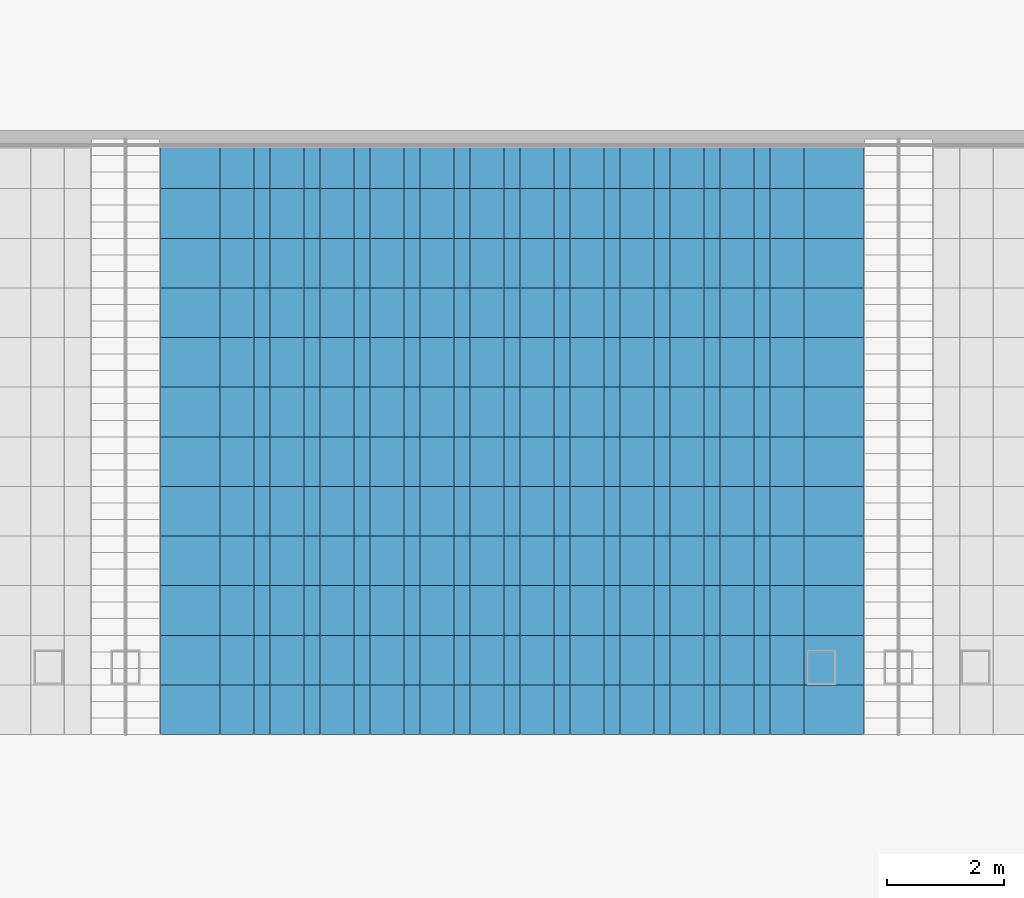
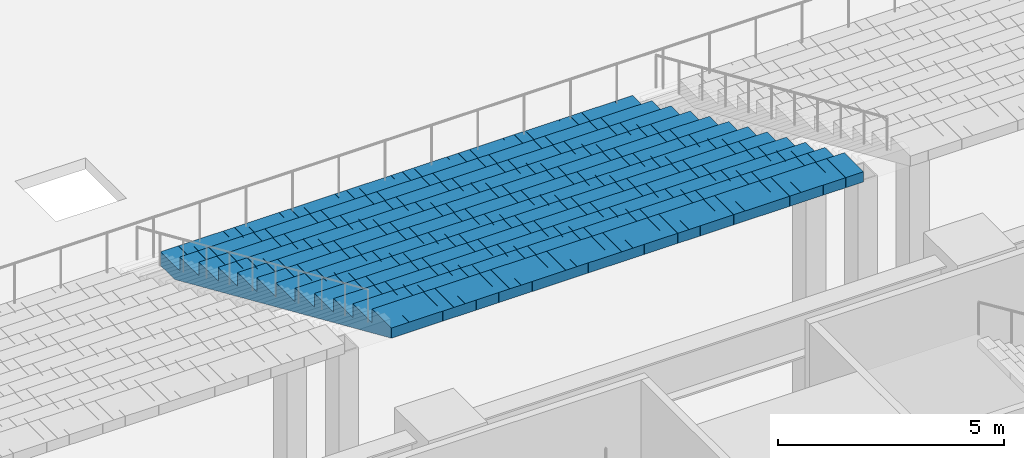
# One storey, part 16 of 62: 1 slab.
"""IFC4 building model written with IfcOpenShell, lengths in metres."""

from ifc_helpers import new_model, si_unit, direction, frame, origin, place, context, subcontext, project, spatial, polyline, outline, extrude, material, layer, layer_set, type_object, element, save


model = new_model("IFC4")

# Units and contexts
model_context = context("Model", 3, precision=1e-05, world=origin(), true_north=direction((0.0, 1.0)))
body_context = subcontext(model_context, "Body", "Model", "MODEL_VIEW")
ifc_project = project(units=[si_unit("LENGTHUNIT", "METRE"), si_unit("AREAUNIT", "SQUARE_METRE"), si_unit("VOLUMEUNIT", "CUBIC_METRE"), si_unit("PLANEANGLEUNIT", "RADIAN"), si_unit("MASSUNIT", "GRAM", prefix="KILO")], contexts=[model_context])

# Site, building, storey
site_placement = place(None, origin())
site = spatial("IfcSite", under=ifc_project, at=site_placement, CompositionType="ELEMENT")
building_placement = place(site_placement, origin())
building = spatial("IfcBuilding", under=site, at=building_placement, Name="Corbelhall Arena Tower", CompositionType="ELEMENT")
storey_placement = place(building_placement, frame((0.0, 0.0, 12.0)))
storey = spatial("IfcBuildingStorey", under=building, at=storey_placement, Name="L01", CompositionType="ELEMENT", Elevation=12.0)

# Slab
ifc_material = material(Name="Precast concrete C40/50", Category="concrete")
ifc_layer = layer(ifc_material, 0.25)
ifc_layer_set = layer_set([ifc_layer], Name="AR-TIER-RAKED")
slab_type = type_object("IfcSlabType", Name="AR-TIER-RAKED", PredefinedType="FLOOR", material=ifc_layer_set)
slab_placement = place(storey_placement, frame((-13.239990234375, -15.14990234375, 2.125), z_axis=(0.0, 0.0, 1.0), x_axis=(0.0, -1.0, 0.0)))
element("IfcSlab", 1, at=slab_placement, inside=storey, type_object=slab_type, Name="Tier section LSD", PredefinedType="FLOOR", context=body_context, shape_type="SweptSolid", body=[
    extrude(outline(polyline([(0.0, 0.0), (0.0, 0.375), (0.85009765625, 0.375), (0.85009765625, 0.75), (1.699951171875, 0.75), (1.699951171875, 1.125), (2.550048828125, 1.125), (2.550048828125, 1.5), (3.39990234375, 1.5), (3.39990234375, 1.875), (4.25, 1.875), (4.25, 2.25), (5.10009765625, 2.25), (5.10009765625, 2.625), (5.949951171875, 2.625), (5.949951171875, 3.0), (6.800048828125, 3.0), (6.800048828125, 3.375), (7.64990234375, 3.375), (7.64990234375, 3.75), (8.5, 3.75), (8.5, 4.125), (9.35009765625, 4.125), (9.35009765625, 4.5), (10.199951171875, 4.5), (10.199951171875, 4.875), (10.199951171875, 4.226806640625), (0.619384765625, 0.0), (0.0, 0.0)])), frame((0.0, 6.02001953125, 0.0), z_axis=(0.0, -1.0, 0.0), x_axis=(1.0, 0.0, 0.0)), (0.0, 0.0, 1.0), 0.449951171875),
    extrude(outline(polyline([(0.0, 0.0), (0.0, 0.375), (0.85009765625, 0.375), (0.85009765625, 0.75), (1.699951171875, 0.75), (1.699951171875, 1.125), (2.550048828125, 1.125), (2.550048828125, 1.5), (3.39990234375, 1.5), (3.39990234375, 1.875), (4.25, 1.875), (4.25, 2.25), (5.10009765625, 2.25), (5.10009765625, 2.625), (5.949951171875, 2.625), (5.949951171875, 3.0), (6.800048828125, 3.0), (6.800048828125, 3.375), (7.64990234375, 3.375), (7.64990234375, 3.75), (8.5, 3.75), (8.5, 4.125), (9.35009765625, 4.125), (9.35009765625, 4.5), (10.199951171875, 4.5), (10.199951171875, 4.875), (10.199951171875, 4.226806640625), (0.619384765625, 0.0), (0.0, 0.0)])), frame((0.0, 5.56591796875, 0.0), z_axis=(0.0, -1.0, 0.0), x_axis=(1.0, 0.0, 0.0)), (0.0, 0.0, 1.0), 0.281494140625),
    extrude(outline(polyline([(0.0, 0.0), (0.0, 0.375), (0.85009765625, 0.375), (0.85009765625, 0.75), (1.699951171875, 0.75), (1.699951171875, 1.125), (2.550048828125, 1.125), (2.550048828125, 1.5), (3.39990234375, 1.5), (3.39990234375, 1.875), (4.25, 1.875), (4.25, 2.25), (5.10009765625, 2.25), (5.10009765625, 2.625), (5.949951171875, 2.625), (5.949951171875, 3.0), (6.800048828125, 3.0), (6.800048828125, 3.375), (7.64990234375, 3.375), (7.64990234375, 3.75), (8.5, 3.75), (8.5, 4.125), (9.35009765625, 4.125), (9.35009765625, 4.5), (10.199951171875, 4.5), (10.199951171875, 4.875), (10.199951171875, 4.226806640625), (0.619384765625, 0.0), (0.0, 0.0)])), frame((0.0, 5.280517578125, 0.0), z_axis=(0.0, -1.0, 0.0), x_axis=(1.0, 0.0, 0.0)), (0.0, 0.0, 1.0), 0.281494140625),
    extrude(outline(polyline([(0.0, 0.0), (0.0, 0.375), (0.85009765625, 0.375), (0.85009765625, 0.75), (1.699951171875, 0.75), (1.699951171875, 1.125), (2.550048828125, 1.125), (2.550048828125, 1.5), (3.39990234375, 1.5), (3.39990234375, 1.875), (4.25, 1.875), (4.25, 2.25), (5.10009765625, 2.25), (5.10009765625, 2.625), (5.949951171875, 2.625), (5.949951171875, 3.0), (6.800048828125, 3.0), (6.800048828125, 3.375), (7.64990234375, 3.375), (7.64990234375, 3.75), (8.5, 3.75), (8.5, 4.125), (9.35009765625, 4.125), (9.35009765625, 4.5), (10.199951171875, 4.5), (10.199951171875, 4.875), (10.199951171875, 4.226806640625), (0.619384765625, 0.0), (0.0, 0.0)])), frame((0.0, 4.994873046875, 0.0), z_axis=(0.0, -1.0, 0.0), x_axis=(1.0, 0.0, 0.0)), (0.0, 0.0, 1.0), 0.281494140625),
    extrude(outline(polyline([(0.0, 0.0), (0.0, 0.375), (0.85009765625, 0.375), (0.85009765625, 0.75), (1.699951171875, 0.75), (1.699951171875, 1.125), (2.550048828125, 1.125), (2.550048828125, 1.5), (3.39990234375, 1.5), (3.39990234375, 1.875), (4.25, 1.875), (4.25, 2.25), (5.10009765625, 2.25), (5.10009765625, 2.625), (5.949951171875, 2.625), (5.949951171875, 3.0), (6.800048828125, 3.0), (6.800048828125, 3.375), (7.64990234375, 3.375), (7.64990234375, 3.75), (8.5, 3.75), (8.5, 4.125), (9.35009765625, 4.125), (9.35009765625, 4.5), (10.199951171875, 4.5), (10.199951171875, 4.875), (10.199951171875, 4.226806640625), (0.619384765625, 0.0), (0.0, 0.0)])), frame((0.0, 4.70947265625, 0.0), z_axis=(0.0, -1.0, 0.0), x_axis=(1.0, 0.0, 0.0)), (0.0, 0.0, 1.0), 0.281494140625),
    extrude(outline(polyline([(0.0, 0.0), (0.0, 0.375), (0.85009765625, 0.375), (0.85009765625, 0.75), (1.699951171875, 0.75), (1.699951171875, 1.125), (2.550048828125, 1.125), (2.550048828125, 1.5), (3.39990234375, 1.5), (3.39990234375, 1.875), (4.25, 1.875), (4.25, 2.25), (5.10009765625, 2.25), (5.10009765625, 2.625), (5.949951171875, 2.625), (5.949951171875, 3.0), (6.800048828125, 3.0), (6.800048828125, 3.375), (7.64990234375, 3.375), (7.64990234375, 3.75), (8.5, 3.75), (8.5, 4.125), (9.35009765625, 4.125), (9.35009765625, 4.5), (10.199951171875, 4.5), (10.199951171875, 4.875), (10.199951171875, 4.226806640625), (0.619384765625, 0.0), (0.0, 0.0)])), frame((0.0, 4.423828125, 0.0), z_axis=(0.0, -1.0, 0.0), x_axis=(1.0, 0.0, 0.0)), (0.0, 0.0, 1.0), 0.281494140625),
    extrude(outline(polyline([(0.0, 0.0), (0.0, 0.375), (0.85009765625, 0.375), (0.85009765625, 0.75), (1.699951171875, 0.75), (1.699951171875, 1.125), (2.550048828125, 1.125), (2.550048828125, 1.5), (3.39990234375, 1.5), (3.39990234375, 1.875), (4.25, 1.875), (4.25, 2.25), (5.10009765625, 2.25), (5.10009765625, 2.625), (5.949951171875, 2.625), (5.949951171875, 3.0), (6.800048828125, 3.0), (6.800048828125, 3.375), (7.64990234375, 3.375), (7.64990234375, 3.75), (8.5, 3.75), (8.5, 4.125), (9.35009765625, 4.125), (9.35009765625, 4.5), (10.199951171875, 4.5), (10.199951171875, 4.875), (10.199951171875, 4.226806640625), (0.619384765625, 0.0), (0.0, 0.0)])), frame((0.0, 4.138427734375, 0.0), z_axis=(0.0, -1.0, 0.0), x_axis=(1.0, 0.0, 0.0)), (0.0, 0.0, 1.0), 0.281494140625),
    extrude(outline(polyline([(0.0, 0.0), (0.0, 0.375), (0.85009765625, 0.375), (0.85009765625, 0.75), (1.699951171875, 0.75), (1.699951171875, 1.125), (2.550048828125, 1.125), (2.550048828125, 1.5), (3.39990234375, 1.5), (3.39990234375, 1.875), (4.25, 1.875), (4.25, 2.25), (5.10009765625, 2.25), (5.10009765625, 2.625), (5.949951171875, 2.625), (5.949951171875, 3.0), (6.800048828125, 3.0), (6.800048828125, 3.375), (7.64990234375, 3.375), (7.64990234375, 3.75), (8.5, 3.75), (8.5, 4.125), (9.35009765625, 4.125), (9.35009765625, 4.5), (10.199951171875, 4.5), (10.199951171875, 4.875), (10.199951171875, 4.226806640625), (0.619384765625, 0.0), (0.0, 0.0)])), frame((0.0, 3.852783203125, 0.0), z_axis=(0.0, -1.0, 0.0), x_axis=(1.0, 0.0, 0.0)), (0.0, 0.0, 1.0), 0.281494140625),
    extrude(outline(polyline([(0.0, 0.0), (0.0, 0.375), (0.85009765625, 0.375), (0.85009765625, 0.75), (1.699951171875, 0.75), (1.699951171875, 1.125), (2.550048828125, 1.125), (2.550048828125, 1.5), (3.39990234375, 1.5), (3.39990234375, 1.875), (4.25, 1.875), (4.25, 2.25), (5.10009765625, 2.25), (5.10009765625, 2.625), (5.949951171875, 2.625), (5.949951171875, 3.0), (6.800048828125, 3.0), (6.800048828125, 3.375), (7.64990234375, 3.375), (7.64990234375, 3.75), (8.5, 3.75), (8.5, 4.125), (9.35009765625, 4.125), (9.35009765625, 4.5), (10.199951171875, 4.5), (10.199951171875, 4.875), (10.199951171875, 4.226806640625), (0.619384765625, 0.0), (0.0, 0.0)])), frame((0.0, 3.567138671875, 0.0), z_axis=(0.0, -1.0, 0.0), x_axis=(1.0, 0.0, 0.0)), (0.0, 0.0, 1.0), 0.281494140625),
    extrude(outline(polyline([(0.0, 0.0), (0.0, 0.375), (0.85009765625, 0.375), (0.85009765625, 0.75), (1.699951171875, 0.75), (1.699951171875, 1.125), (2.550048828125, 1.125), (2.550048828125, 1.5), (3.39990234375, 1.5), (3.39990234375, 1.875), (4.25, 1.875), (4.25, 2.25), (5.10009765625, 2.25), (5.10009765625, 2.625), (5.949951171875, 2.625), (5.949951171875, 3.0), (6.800048828125, 3.0), (6.800048828125, 3.375), (7.64990234375, 3.375), (7.64990234375, 3.75), (8.5, 3.75), (8.5, 4.125), (9.35009765625, 4.125), (9.35009765625, 4.5), (10.199951171875, 4.5), (10.199951171875, 4.875), (10.199951171875, 4.226806640625), (0.619384765625, 0.0), (0.0, 0.0)])), frame((0.0, 3.28173828125, 0.0), z_axis=(0.0, -1.0, 0.0), x_axis=(1.0, 0.0, 0.0)), (0.0, 0.0, 1.0), 0.281494140625),
    extrude(outline(polyline([(0.0, 0.0), (0.0, 0.375), (0.85009765625, 0.375), (0.85009765625, 0.75), (1.699951171875, 0.75), (1.699951171875, 1.125), (2.550048828125, 1.125), (2.550048828125, 1.5), (3.39990234375, 1.5), (3.39990234375, 1.875), (4.25, 1.875), (4.25, 2.25), (5.10009765625, 2.25), (5.10009765625, 2.625), (5.949951171875, 2.625), (5.949951171875, 3.0), (6.800048828125, 3.0), (6.800048828125, 3.375), (7.64990234375, 3.375), (7.64990234375, 3.75), (8.5, 3.75), (8.5, 4.125), (9.35009765625, 4.125), (9.35009765625, 4.5), (10.199951171875, 4.5), (10.199951171875, 4.875), (10.199951171875, 4.226806640625), (0.619384765625, 0.0), (0.0, 0.0)])), frame((0.0, 2.99609375, 0.0), z_axis=(0.0, -1.0, 0.0), x_axis=(1.0, 0.0, 0.0)), (0.0, 0.0, 1.0), 0.281494140625),
    extrude(outline(polyline([(0.0, 0.0), (0.0, 0.375), (0.85009765625, 0.375), (0.85009765625, 0.75), (1.699951171875, 0.75), (1.699951171875, 1.125), (2.550048828125, 1.125), (2.550048828125, 1.5), (3.39990234375, 1.5), (3.39990234375, 1.875), (4.25, 1.875), (4.25, 2.25), (5.10009765625, 2.25), (5.10009765625, 2.625), (5.949951171875, 2.625), (5.949951171875, 3.0), (6.800048828125, 3.0), (6.800048828125, 3.375), (7.64990234375, 3.375), (7.64990234375, 3.75), (8.5, 3.75), (8.5, 4.125), (9.35009765625, 4.125), (9.35009765625, 4.5), (10.199951171875, 4.5), (10.199951171875, 4.875), (10.199951171875, 4.226806640625), (0.619384765625, 0.0), (0.0, 0.0)])), frame((0.0, 2.710693359375, 0.0), z_axis=(0.0, -1.0, 0.0), x_axis=(1.0, 0.0, 0.0)), (0.0, 0.0, 1.0), 0.281494140625),
    extrude(outline(polyline([(0.0, 0.0), (0.0, 0.375), (0.85009765625, 0.375), (0.85009765625, 0.75), (1.699951171875, 0.75), (1.699951171875, 1.125), (2.550048828125, 1.125), (2.550048828125, 1.5), (3.39990234375, 1.5), (3.39990234375, 1.875), (4.25, 1.875), (4.25, 2.25), (5.10009765625, 2.25), (5.10009765625, 2.625), (5.949951171875, 2.625), (5.949951171875, 3.0), (6.800048828125, 3.0), (6.800048828125, 3.375), (7.64990234375, 3.375), (7.64990234375, 3.75), (8.5, 3.75), (8.5, 4.125), (9.35009765625, 4.125), (9.35009765625, 4.5), (10.199951171875, 4.5), (10.199951171875, 4.875), (10.199951171875, 4.226806640625), (0.619384765625, 0.0), (0.0, 0.0)])), frame((0.0, 2.425048828125, 0.0), z_axis=(0.0, -1.0, 0.0), x_axis=(1.0, 0.0, 0.0)), (0.0, 0.0, 1.0), 0.281494140625),
    extrude(outline(polyline([(0.0, 0.0), (0.0, 0.375), (0.85009765625, 0.375), (0.85009765625, 0.75), (1.699951171875, 0.75), (1.699951171875, 1.125), (2.550048828125, 1.125), (2.550048828125, 1.5), (3.39990234375, 1.5), (3.39990234375, 1.875), (4.25, 1.875), (4.25, 2.25), (5.10009765625, 2.25), (5.10009765625, 2.625), (5.949951171875, 2.625), (5.949951171875, 3.0), (6.800048828125, 3.0), (6.800048828125, 3.375), (7.64990234375, 3.375), (7.64990234375, 3.75), (8.5, 3.75), (8.5, 4.125), (9.35009765625, 4.125), (9.35009765625, 4.5), (10.199951171875, 4.5), (10.199951171875, 4.875), (10.199951171875, 4.226806640625), (0.619384765625, 0.0), (0.0, 0.0)])), frame((0.0, 2.1396484375, 0.0), z_axis=(0.0, -1.0, 0.0), x_axis=(1.0, 0.0, 0.0)), (0.0, 0.0, 1.0), 0.281494140625),
    extrude(outline(polyline([(0.0, 0.0), (0.0, 0.375), (0.85009765625, 0.375), (0.85009765625, 0.75), (1.699951171875, 0.75), (1.699951171875, 1.125), (2.550048828125, 1.125), (2.550048828125, 1.5), (3.39990234375, 1.5), (3.39990234375, 1.875), (4.25, 1.875), (4.25, 2.25), (5.10009765625, 2.25), (5.10009765625, 2.625), (5.949951171875, 2.625), (5.949951171875, 3.0), (6.800048828125, 3.0), (6.800048828125, 3.375), (7.64990234375, 3.375), (7.64990234375, 3.75), (8.5, 3.75), (8.5, 4.125), (9.35009765625, 4.125), (9.35009765625, 4.5), (10.199951171875, 4.5), (10.199951171875, 4.875), (10.199951171875, 4.226806640625), (0.619384765625, 0.0), (0.0, 0.0)])), frame((0.0, 1.85400390625, 0.0), z_axis=(0.0, -1.0, 0.0), x_axis=(1.0, 0.0, 0.0)), (0.0, 0.0, 1.0), 0.281494140625),
    extrude(outline(polyline([(0.0, 0.0), (0.0, 0.375), (0.85009765625, 0.375), (0.85009765625, 0.75), (1.699951171875, 0.75), (1.699951171875, 1.125), (2.550048828125, 1.125), (2.550048828125, 1.5), (3.39990234375, 1.5), (3.39990234375, 1.875), (4.25, 1.875), (4.25, 2.25), (5.10009765625, 2.25), (5.10009765625, 2.625), (5.949951171875, 2.625), (5.949951171875, 3.0), (6.800048828125, 3.0), (6.800048828125, 3.375), (7.64990234375, 3.375), (7.64990234375, 3.75), (8.5, 3.75), (8.5, 4.125), (9.35009765625, 4.125), (9.35009765625, 4.5), (10.199951171875, 4.5), (10.199951171875, 4.875), (10.199951171875, 4.226806640625), (0.619384765625, 0.0), (0.0, 0.0)])), frame((0.0, 1.568359375, 0.0), z_axis=(0.0, -1.0, 0.0), x_axis=(1.0, 0.0, 0.0)), (0.0, 0.0, 1.0), 0.281494140625),
    extrude(outline(polyline([(0.0, 0.0), (0.0, 0.375), (0.85009765625, 0.375), (0.85009765625, 0.75), (1.699951171875, 0.75), (1.699951171875, 1.125), (2.550048828125, 1.125), (2.550048828125, 1.5), (3.39990234375, 1.5), (3.39990234375, 1.875), (4.25, 1.875), (4.25, 2.25), (5.10009765625, 2.25), (5.10009765625, 2.625), (5.949951171875, 2.625), (5.949951171875, 3.0), (6.800048828125, 3.0), (6.800048828125, 3.375), (7.64990234375, 3.375), (7.64990234375, 3.75), (8.5, 3.75), (8.5, 4.125), (9.35009765625, 4.125), (9.35009765625, 4.5), (10.199951171875, 4.5), (10.199951171875, 4.875), (10.199951171875, 4.226806640625), (0.619384765625, 0.0), (0.0, 0.0)])), frame((0.0, 1.282958984375, 0.0), z_axis=(0.0, -1.0, 0.0), x_axis=(1.0, 0.0, 0.0)), (0.0, 0.0, 1.0), 0.281494140625),
    extrude(outline(polyline([(0.0, 0.0), (0.0, 0.375), (0.85009765625, 0.375), (0.85009765625, 0.75), (1.699951171875, 0.75), (1.699951171875, 1.125), (2.550048828125, 1.125), (2.550048828125, 1.5), (3.39990234375, 1.5), (3.39990234375, 1.875), (4.25, 1.875), (4.25, 2.25), (5.10009765625, 2.25), (5.10009765625, 2.625), (5.949951171875, 2.625), (5.949951171875, 3.0), (6.800048828125, 3.0), (6.800048828125, 3.375), (7.64990234375, 3.375), (7.64990234375, 3.75), (8.5, 3.75), (8.5, 4.125), (9.35009765625, 4.125), (9.35009765625, 4.5), (10.199951171875, 4.5), (10.199951171875, 4.875), (10.199951171875, 4.226806640625), (0.619384765625, 0.0), (0.0, 0.0)])), frame((0.0, 0.997314453125, 0.0), z_axis=(0.0, -1.0, 0.0), x_axis=(1.0, 0.0, 0.0)), (0.0, 0.0, 1.0), 0.281494140625),
    extrude(outline(polyline([(0.0, 0.0), (0.0, 0.375), (0.85009765625, 0.375), (0.85009765625, 0.75), (1.699951171875, 0.75), (1.699951171875, 1.125), (2.550048828125, 1.125), (2.550048828125, 1.5), (3.39990234375, 1.5), (3.39990234375, 1.875), (4.25, 1.875), (4.25, 2.25), (5.10009765625, 2.25), (5.10009765625, 2.625), (5.949951171875, 2.625), (5.949951171875, 3.0), (6.800048828125, 3.0), (6.800048828125, 3.375), (7.64990234375, 3.375), (7.64990234375, 3.75), (8.5, 3.75), (8.5, 4.125), (9.35009765625, 4.125), (9.35009765625, 4.5), (10.199951171875, 4.5), (10.199951171875, 4.875), (10.199951171875, 4.226806640625), (0.619384765625, 0.0), (0.0, 0.0)])), frame((0.0, 0.7119140625, 0.0), z_axis=(0.0, -1.0, 0.0), x_axis=(1.0, 0.0, 0.0)), (0.0, 0.0, 1.0), 0.281494140625),
    extrude(outline(polyline([(0.0, 0.0), (0.0, 0.375), (0.85009765625, 0.375), (0.85009765625, 0.75), (1.699951171875, 0.75), (1.699951171875, 1.125), (2.550048828125, 1.125), (2.550048828125, 1.5), (3.39990234375, 1.5), (3.39990234375, 1.875), (4.25, 1.875), (4.25, 2.25), (5.10009765625, 2.25), (5.10009765625, 2.625), (5.949951171875, 2.625), (5.949951171875, 3.0), (6.800048828125, 3.0), (6.800048828125, 3.375), (7.64990234375, 3.375), (7.64990234375, 3.75), (8.5, 3.75), (8.5, 4.125), (9.35009765625, 4.125), (9.35009765625, 4.5), (10.199951171875, 4.5), (10.199951171875, 4.875), (10.199951171875, 4.226806640625), (0.619384765625, 0.0), (0.0, 0.0)])), frame((0.0, 0.42626953125, 0.0), z_axis=(0.0, -1.0, 0.0), x_axis=(1.0, 0.0, 0.0)), (0.0, 0.0, 1.0), 0.281494140625),
    extrude(outline(polyline([(0.0, 0.0), (0.0, 0.375), (0.85009765625, 0.375), (0.85009765625, 0.75), (1.699951171875, 0.75), (1.699951171875, 1.125), (2.550048828125, 1.125), (2.550048828125, 1.5), (3.39990234375, 1.5), (3.39990234375, 1.875), (4.25, 1.875), (4.25, 2.25), (5.10009765625, 2.25), (5.10009765625, 2.625), (5.949951171875, 2.625), (5.949951171875, 3.0), (6.800048828125, 3.0), (6.800048828125, 3.375), (7.64990234375, 3.375), (7.64990234375, 3.75), (8.5, 3.75), (8.5, 4.125), (9.35009765625, 4.125), (9.35009765625, 4.5), (10.199951171875, 4.5), (10.199951171875, 4.875), (10.199951171875, 4.226806640625), (0.619384765625, 0.0), (0.0, 0.0)])), frame((0.0, 0.140869140625, 0.0), z_axis=(0.0, -1.0, 0.0), x_axis=(1.0, 0.0, 0.0)), (0.0, 0.0, 1.0), 0.281494140625),
    extrude(outline(polyline([(0.0, 0.0), (0.0, 0.375), (0.85009765625, 0.375), (0.85009765625, 0.75), (1.699951171875, 0.75), (1.699951171875, 1.125), (2.550048828125, 1.125), (2.550048828125, 1.5), (3.39990234375, 1.5), (3.39990234375, 1.875), (4.25, 1.875), (4.25, 2.25), (5.10009765625, 2.25), (5.10009765625, 2.625), (5.949951171875, 2.625), (5.949951171875, 3.0), (6.800048828125, 3.0), (6.800048828125, 3.375), (7.64990234375, 3.375), (7.64990234375, 3.75), (8.5, 3.75), (8.5, 4.125), (9.35009765625, 4.125), (9.35009765625, 4.5), (10.199951171875, 4.5), (10.199951171875, 4.875), (10.199951171875, 4.226806640625), (0.619384765625, 0.0), (0.0, 0.0)])), frame((0.0, -0.144775390625, 0.0), z_axis=(0.0, -1.0, 0.0), x_axis=(1.0, 0.0, 0.0)), (0.0, 0.0, 1.0), 0.281494140625),
    extrude(outline(polyline([(0.0, 0.0), (0.0, 0.375), (0.85009765625, 0.375), (0.85009765625, 0.75), (1.699951171875, 0.75), (1.699951171875, 1.125), (2.550048828125, 1.125), (2.550048828125, 1.5), (3.39990234375, 1.5), (3.39990234375, 1.875), (4.25, 1.875), (4.25, 2.25), (5.10009765625, 2.25), (5.10009765625, 2.625), (5.949951171875, 2.625), (5.949951171875, 3.0), (6.800048828125, 3.0), (6.800048828125, 3.375), (7.64990234375, 3.375), (7.64990234375, 3.75), (8.5, 3.75), (8.5, 4.125), (9.35009765625, 4.125), (9.35009765625, 4.5), (10.199951171875, 4.5), (10.199951171875, 4.875), (10.199951171875, 4.226806640625), (0.619384765625, 0.0), (0.0, 0.0)])), frame((0.0, -0.430419921875, 0.0), z_axis=(0.0, -1.0, 0.0), x_axis=(1.0, 0.0, 0.0)), (0.0, 0.0, 1.0), 0.281494140625),
    extrude(outline(polyline([(0.0, 0.0), (0.0, 0.375), (0.85009765625, 0.375), (0.85009765625, 0.75), (1.699951171875, 0.75), (1.699951171875, 1.125), (2.550048828125, 1.125), (2.550048828125, 1.5), (3.39990234375, 1.5), (3.39990234375, 1.875), (4.25, 1.875), (4.25, 2.25), (5.10009765625, 2.25), (5.10009765625, 2.625), (5.949951171875, 2.625), (5.949951171875, 3.0), (6.800048828125, 3.0), (6.800048828125, 3.375), (7.64990234375, 3.375), (7.64990234375, 3.75), (8.5, 3.75), (8.5, 4.125), (9.35009765625, 4.125), (9.35009765625, 4.5), (10.199951171875, 4.5), (10.199951171875, 4.875), (10.199951171875, 4.226806640625), (0.619384765625, 0.0), (0.0, 0.0)])), frame((0.0, -0.7158203125, 0.0), z_axis=(0.0, -1.0, 0.0), x_axis=(1.0, 0.0, 0.0)), (0.0, 0.0, 1.0), 0.281494140625),
    extrude(outline(polyline([(0.0, 0.0), (0.0, 0.375), (0.85009765625, 0.375), (0.85009765625, 0.75), (1.699951171875, 0.75), (1.699951171875, 1.125), (2.550048828125, 1.125), (2.550048828125, 1.5), (3.39990234375, 1.5), (3.39990234375, 1.875), (4.25, 1.875), (4.25, 2.25), (5.10009765625, 2.25), (5.10009765625, 2.625), (5.949951171875, 2.625), (5.949951171875, 3.0), (6.800048828125, 3.0), (6.800048828125, 3.375), (7.64990234375, 3.375), (7.64990234375, 3.75), (8.5, 3.75), (8.5, 4.125), (9.35009765625, 4.125), (9.35009765625, 4.5), (10.199951171875, 4.5), (10.199951171875, 4.875), (10.199951171875, 4.226806640625), (0.619384765625, 0.0), (0.0, 0.0)])), frame((0.0, -1.00146484375, 0.0), z_axis=(0.0, -1.0, 0.0), x_axis=(1.0, 0.0, 0.0)), (0.0, 0.0, 1.0), 0.281494140625),
    extrude(outline(polyline([(0.0, 0.0), (0.0, 0.375), (0.85009765625, 0.375), (0.85009765625, 0.75), (1.699951171875, 0.75), (1.699951171875, 1.125), (2.550048828125, 1.125), (2.550048828125, 1.5), (3.39990234375, 1.5), (3.39990234375, 1.875), (4.25, 1.875), (4.25, 2.25), (5.10009765625, 2.25), (5.10009765625, 2.625), (5.949951171875, 2.625), (5.949951171875, 3.0), (6.800048828125, 3.0), (6.800048828125, 3.375), (7.64990234375, 3.375), (7.64990234375, 3.75), (8.5, 3.75), (8.5, 4.125), (9.35009765625, 4.125), (9.35009765625, 4.5), (10.199951171875, 4.5), (10.199951171875, 4.875), (10.199951171875, 4.226806640625), (0.619384765625, 0.0), (0.0, 0.0)])), frame((0.0, -1.286865234375, 0.0), z_axis=(0.0, -1.0, 0.0), x_axis=(1.0, 0.0, 0.0)), (0.0, 0.0, 1.0), 0.281494140625),
    extrude(outline(polyline([(0.0, 0.0), (0.0, 0.375), (0.85009765625, 0.375), (0.85009765625, 0.75), (1.699951171875, 0.75), (1.699951171875, 1.125), (2.550048828125, 1.125), (2.550048828125, 1.5), (3.39990234375, 1.5), (3.39990234375, 1.875), (4.25, 1.875), (4.25, 2.25), (5.10009765625, 2.25), (5.10009765625, 2.625), (5.949951171875, 2.625), (5.949951171875, 3.0), (6.800048828125, 3.0), (6.800048828125, 3.375), (7.64990234375, 3.375), (7.64990234375, 3.75), (8.5, 3.75), (8.5, 4.125), (9.35009765625, 4.125), (9.35009765625, 4.5), (10.199951171875, 4.5), (10.199951171875, 4.875), (10.199951171875, 4.226806640625), (0.619384765625, 0.0), (0.0, 0.0)])), frame((0.0, -1.572509765625, 0.0), z_axis=(0.0, -1.0, 0.0), x_axis=(1.0, 0.0, 0.0)), (0.0, 0.0, 1.0), 0.281494140625),
    extrude(outline(polyline([(0.0, 0.0), (0.0, 0.375), (0.85009765625, 0.375), (0.85009765625, 0.75), (1.699951171875, 0.75), (1.699951171875, 1.125), (2.550048828125, 1.125), (2.550048828125, 1.5), (3.39990234375, 1.5), (3.39990234375, 1.875), (4.25, 1.875), (4.25, 2.25), (5.10009765625, 2.25), (5.10009765625, 2.625), (5.949951171875, 2.625), (5.949951171875, 3.0), (6.800048828125, 3.0), (6.800048828125, 3.375), (7.64990234375, 3.375), (7.64990234375, 3.75), (8.5, 3.75), (8.5, 4.125), (9.35009765625, 4.125), (9.35009765625, 4.5), (10.199951171875, 4.5), (10.199951171875, 4.875), (10.199951171875, 4.226806640625), (0.619384765625, 0.0), (0.0, 0.0)])), frame((0.0, -1.85791015625, 0.0), z_axis=(0.0, -1.0, 0.0), x_axis=(1.0, 0.0, 0.0)), (0.0, 0.0, 1.0), 0.281494140625),
    extrude(outline(polyline([(0.0, 0.0), (0.0, 0.375), (0.85009765625, 0.375), (0.85009765625, 0.75), (1.699951171875, 0.75), (1.699951171875, 1.125), (2.550048828125, 1.125), (2.550048828125, 1.5), (3.39990234375, 1.5), (3.39990234375, 1.875), (4.25, 1.875), (4.25, 2.25), (5.10009765625, 2.25), (5.10009765625, 2.625), (5.949951171875, 2.625), (5.949951171875, 3.0), (6.800048828125, 3.0), (6.800048828125, 3.375), (7.64990234375, 3.375), (7.64990234375, 3.75), (8.5, 3.75), (8.5, 4.125), (9.35009765625, 4.125), (9.35009765625, 4.5), (10.199951171875, 4.5), (10.199951171875, 4.875), (10.199951171875, 4.226806640625), (0.619384765625, 0.0), (0.0, 0.0)])), frame((0.0, -2.1435546875, 0.0), z_axis=(0.0, -1.0, 0.0), x_axis=(1.0, 0.0, 0.0)), (0.0, 0.0, 1.0), 0.281494140625),
    extrude(outline(polyline([(0.0, 0.0), (0.0, 0.375), (0.85009765625, 0.375), (0.85009765625, 0.75), (1.699951171875, 0.75), (1.699951171875, 1.125), (2.550048828125, 1.125), (2.550048828125, 1.5), (3.39990234375, 1.5), (3.39990234375, 1.875), (4.25, 1.875), (4.25, 2.25), (5.10009765625, 2.25), (5.10009765625, 2.625), (5.949951171875, 2.625), (5.949951171875, 3.0), (6.800048828125, 3.0), (6.800048828125, 3.375), (7.64990234375, 3.375), (7.64990234375, 3.75), (8.5, 3.75), (8.5, 4.125), (9.35009765625, 4.125), (9.35009765625, 4.5), (10.199951171875, 4.5), (10.199951171875, 4.875), (10.199951171875, 4.226806640625), (0.619384765625, 0.0), (0.0, 0.0)])), frame((0.0, -2.42919921875, 0.0), z_axis=(0.0, -1.0, 0.0), x_axis=(1.0, 0.0, 0.0)), (0.0, 0.0, 1.0), 0.281494140625),
    extrude(outline(polyline([(0.0, 0.0), (0.0, 0.375), (0.85009765625, 0.375), (0.85009765625, 0.75), (1.699951171875, 0.75), (1.699951171875, 1.125), (2.550048828125, 1.125), (2.550048828125, 1.5), (3.39990234375, 1.5), (3.39990234375, 1.875), (4.25, 1.875), (4.25, 2.25), (5.10009765625, 2.25), (5.10009765625, 2.625), (5.949951171875, 2.625), (5.949951171875, 3.0), (6.800048828125, 3.0), (6.800048828125, 3.375), (7.64990234375, 3.375), (7.64990234375, 3.75), (8.5, 3.75), (8.5, 4.125), (9.35009765625, 4.125), (9.35009765625, 4.5), (10.199951171875, 4.5), (10.199951171875, 4.875), (10.199951171875, 4.226806640625), (0.619384765625, 0.0), (0.0, 0.0)])), frame((0.0, -2.714599609375, 0.0), z_axis=(0.0, -1.0, 0.0), x_axis=(1.0, 0.0, 0.0)), (0.0, 0.0, 1.0), 0.281494140625),
    extrude(outline(polyline([(0.0, 0.0), (0.0, 0.375), (0.85009765625, 0.375), (0.85009765625, 0.75), (1.699951171875, 0.75), (1.699951171875, 1.125), (2.550048828125, 1.125), (2.550048828125, 1.5), (3.39990234375, 1.5), (3.39990234375, 1.875), (4.25, 1.875), (4.25, 2.25), (5.10009765625, 2.25), (5.10009765625, 2.625), (5.949951171875, 2.625), (5.949951171875, 3.0), (6.800048828125, 3.0), (6.800048828125, 3.375), (7.64990234375, 3.375), (7.64990234375, 3.75), (8.5, 3.75), (8.5, 4.125), (9.35009765625, 4.125), (9.35009765625, 4.5), (10.199951171875, 4.5), (10.199951171875, 4.875), (10.199951171875, 4.226806640625), (0.619384765625, 0.0), (0.0, 0.0)])), frame((0.0, -3.000244140625, 0.0), z_axis=(0.0, -1.0, 0.0), x_axis=(1.0, 0.0, 0.0)), (0.0, 0.0, 1.0), 0.281494140625),
    extrude(outline(polyline([(0.0, 0.0), (0.0, 0.375), (0.85009765625, 0.375), (0.85009765625, 0.75), (1.699951171875, 0.75), (1.699951171875, 1.125), (2.550048828125, 1.125), (2.550048828125, 1.5), (3.39990234375, 1.5), (3.39990234375, 1.875), (4.25, 1.875), (4.25, 2.25), (5.10009765625, 2.25), (5.10009765625, 2.625), (5.949951171875, 2.625), (5.949951171875, 3.0), (6.800048828125, 3.0), (6.800048828125, 3.375), (7.64990234375, 3.375), (7.64990234375, 3.75), (8.5, 3.75), (8.5, 4.125), (9.35009765625, 4.125), (9.35009765625, 4.5), (10.199951171875, 4.5), (10.199951171875, 4.875), (10.199951171875, 4.226806640625), (0.619384765625, 0.0), (0.0, 0.0)])), frame((0.0, -3.28564453125, 0.0), z_axis=(0.0, -1.0, 0.0), x_axis=(1.0, 0.0, 0.0)), (0.0, 0.0, 1.0), 0.281494140625),
    extrude(outline(polyline([(0.0, 0.0), (0.0, 0.375), (0.85009765625, 0.375), (0.85009765625, 0.75), (1.699951171875, 0.75), (1.699951171875, 1.125), (2.550048828125, 1.125), (2.550048828125, 1.5), (3.39990234375, 1.5), (3.39990234375, 1.875), (4.25, 1.875), (4.25, 2.25), (5.10009765625, 2.25), (5.10009765625, 2.625), (5.949951171875, 2.625), (5.949951171875, 3.0), (6.800048828125, 3.0), (6.800048828125, 3.375), (7.64990234375, 3.375), (7.64990234375, 3.75), (8.5, 3.75), (8.5, 4.125), (9.35009765625, 4.125), (9.35009765625, 4.5), (10.199951171875, 4.5), (10.199951171875, 4.875), (10.199951171875, 4.226806640625), (0.619384765625, 0.0), (0.0, 0.0)])), frame((0.0, -3.5712890625, 0.0), z_axis=(0.0, -1.0, 0.0), x_axis=(1.0, 0.0, 0.0)), (0.0, 0.0, 1.0), 0.281494140625),
    extrude(outline(polyline([(0.0, 0.0), (0.0, 0.375), (0.85009765625, 0.375), (0.85009765625, 0.75), (1.699951171875, 0.75), (1.699951171875, 1.125), (2.550048828125, 1.125), (2.550048828125, 1.5), (3.39990234375, 1.5), (3.39990234375, 1.875), (4.25, 1.875), (4.25, 2.25), (5.10009765625, 2.25), (5.10009765625, 2.625), (5.949951171875, 2.625), (5.949951171875, 3.0), (6.800048828125, 3.0), (6.800048828125, 3.375), (7.64990234375, 3.375), (7.64990234375, 3.75), (8.5, 3.75), (8.5, 4.125), (9.35009765625, 4.125), (9.35009765625, 4.5), (10.199951171875, 4.5), (10.199951171875, 4.875), (10.199951171875, 4.226806640625), (0.619384765625, 0.0), (0.0, 0.0)])), frame((0.0, -3.856689453125, 0.0), z_axis=(0.0, -1.0, 0.0), x_axis=(1.0, 0.0, 0.0)), (0.0, 0.0, 1.0), 0.281494140625),
    extrude(outline(polyline([(0.0, 0.0), (0.0, 0.375), (0.85009765625, 0.375), (0.85009765625, 0.75), (1.699951171875, 0.75), (1.699951171875, 1.125), (2.550048828125, 1.125), (2.550048828125, 1.5), (3.39990234375, 1.5), (3.39990234375, 1.875), (4.25, 1.875), (4.25, 2.25), (5.10009765625, 2.25), (5.10009765625, 2.625), (5.949951171875, 2.625), (5.949951171875, 3.0), (6.800048828125, 3.0), (6.800048828125, 3.375), (7.64990234375, 3.375), (7.64990234375, 3.75), (8.5, 3.75), (8.5, 4.125), (9.35009765625, 4.125), (9.35009765625, 4.5), (10.199951171875, 4.5), (10.199951171875, 4.875), (10.199951171875, 4.226806640625), (0.619384765625, 0.0), (0.0, 0.0)])), frame((0.0, -4.142333984375, 0.0), z_axis=(0.0, -1.0, 0.0), x_axis=(1.0, 0.0, 0.0)), (0.0, 0.0, 1.0), 0.281494140625),
    extrude(outline(polyline([(0.0, 0.0), (0.0, 0.375), (0.85009765625, 0.375), (0.85009765625, 0.75), (1.699951171875, 0.75), (1.699951171875, 1.125), (2.550048828125, 1.125), (2.550048828125, 1.5), (3.39990234375, 1.5), (3.39990234375, 1.875), (4.25, 1.875), (4.25, 2.25), (5.10009765625, 2.25), (5.10009765625, 2.625), (5.949951171875, 2.625), (5.949951171875, 3.0), (6.800048828125, 3.0), (6.800048828125, 3.375), (7.64990234375, 3.375), (7.64990234375, 3.75), (8.5, 3.75), (8.5, 4.125), (9.35009765625, 4.125), (9.35009765625, 4.5), (10.199951171875, 4.5), (10.199951171875, 4.875), (10.199951171875, 4.226806640625), (0.619384765625, 0.0), (0.0, 0.0)])), frame((0.0, -4.427978515625, 0.0), z_axis=(0.0, -1.0, 0.0), x_axis=(1.0, 0.0, 0.0)), (0.0, 0.0, 1.0), 0.281494140625),
    extrude(outline(polyline([(0.0, 0.0), (0.0, 0.375), (0.85009765625, 0.375), (0.85009765625, 0.75), (1.699951171875, 0.75), (1.699951171875, 1.125), (2.550048828125, 1.125), (2.550048828125, 1.5), (3.39990234375, 1.5), (3.39990234375, 1.875), (4.25, 1.875), (4.25, 2.25), (5.10009765625, 2.25), (5.10009765625, 2.625), (5.949951171875, 2.625), (5.949951171875, 3.0), (6.800048828125, 3.0), (6.800048828125, 3.375), (7.64990234375, 3.375), (7.64990234375, 3.75), (8.5, 3.75), (8.5, 4.125), (9.35009765625, 4.125), (9.35009765625, 4.5), (10.199951171875, 4.5), (10.199951171875, 4.875), (10.199951171875, 4.226806640625), (0.619384765625, 0.0), (0.0, 0.0)])), frame((0.0, -4.71337890625, 0.0), z_axis=(0.0, -1.0, 0.0), x_axis=(1.0, 0.0, 0.0)), (0.0, 0.0, 1.0), 0.281494140625),
    extrude(outline(polyline([(0.0, 0.0), (0.0, 0.375), (0.85009765625, 0.375), (0.85009765625, 0.75), (1.699951171875, 0.75), (1.699951171875, 1.125), (2.550048828125, 1.125), (2.550048828125, 1.5), (3.39990234375, 1.5), (3.39990234375, 1.875), (4.25, 1.875), (4.25, 2.25), (5.10009765625, 2.25), (5.10009765625, 2.625), (5.949951171875, 2.625), (5.949951171875, 3.0), (6.800048828125, 3.0), (6.800048828125, 3.375), (7.64990234375, 3.375), (7.64990234375, 3.75), (8.5, 3.75), (8.5, 4.125), (9.35009765625, 4.125), (9.35009765625, 4.5), (10.199951171875, 4.5), (10.199951171875, 4.875), (10.199951171875, 4.226806640625), (0.619384765625, 0.0), (0.0, 0.0)])), frame((0.0, -4.9990234375, 0.0), z_axis=(0.0, -1.0, 0.0), x_axis=(1.0, 0.0, 0.0)), (0.0, 0.0, 1.0), 0.281494140625),
    extrude(outline(polyline([(0.0, 0.0), (0.0, 0.375), (0.85009765625, 0.375), (0.85009765625, 0.75), (1.699951171875, 0.75), (1.699951171875, 1.125), (2.550048828125, 1.125), (2.550048828125, 1.5), (3.39990234375, 1.5), (3.39990234375, 1.875), (4.25, 1.875), (4.25, 2.25), (5.10009765625, 2.25), (5.10009765625, 2.625), (5.949951171875, 2.625), (5.949951171875, 3.0), (6.800048828125, 3.0), (6.800048828125, 3.375), (7.64990234375, 3.375), (7.64990234375, 3.75), (8.5, 3.75), (8.5, 4.125), (9.35009765625, 4.125), (9.35009765625, 4.5), (10.199951171875, 4.5), (10.199951171875, 4.875), (10.199951171875, 4.226806640625), (0.619384765625, 0.0), (0.0, 0.0)])), frame((0.0, -5.284423828125, 0.0), z_axis=(0.0, -1.0, 0.0), x_axis=(1.0, 0.0, 0.0)), (0.0, 0.0, 1.0), 0.281494140625),
    extrude(outline(polyline([(0.0, 0.0), (0.0, 0.375), (0.85009765625, 0.375), (0.85009765625, 0.75), (1.699951171875, 0.75), (1.699951171875, 1.125), (2.550048828125, 1.125), (2.550048828125, 1.5), (3.39990234375, 1.5), (3.39990234375, 1.875), (4.25, 1.875), (4.25, 2.25), (5.10009765625, 2.25), (5.10009765625, 2.625), (5.949951171875, 2.625), (5.949951171875, 3.0), (6.800048828125, 3.0), (6.800048828125, 3.375), (7.64990234375, 3.375), (7.64990234375, 3.75), (8.5, 3.75), (8.5, 4.125), (9.35009765625, 4.125), (9.35009765625, 4.5), (10.199951171875, 4.5), (10.199951171875, 4.875), (10.199951171875, 4.226806640625), (0.619384765625, 0.0), (0.0, 0.0)])), frame((0.0, -5.570068359375, 0.0), z_axis=(0.0, -1.0, 0.0), x_axis=(1.0, 0.0, 0.0)), (0.0, 0.0, 1.0), 0.449951171875),
])

save(model, "model.ifc")
